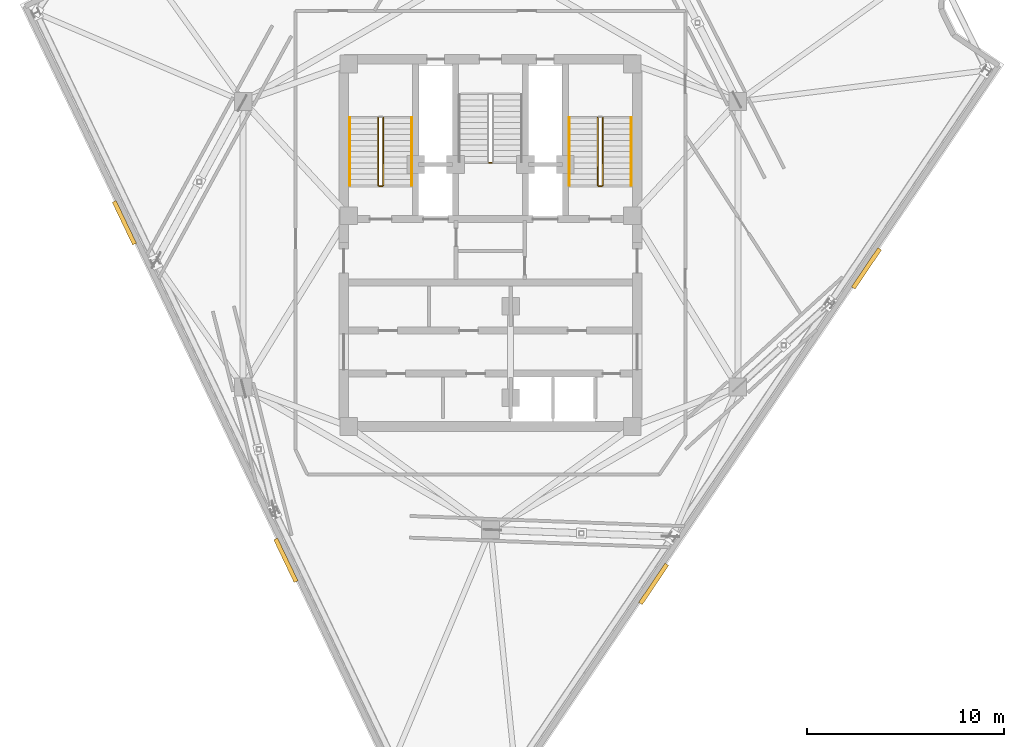
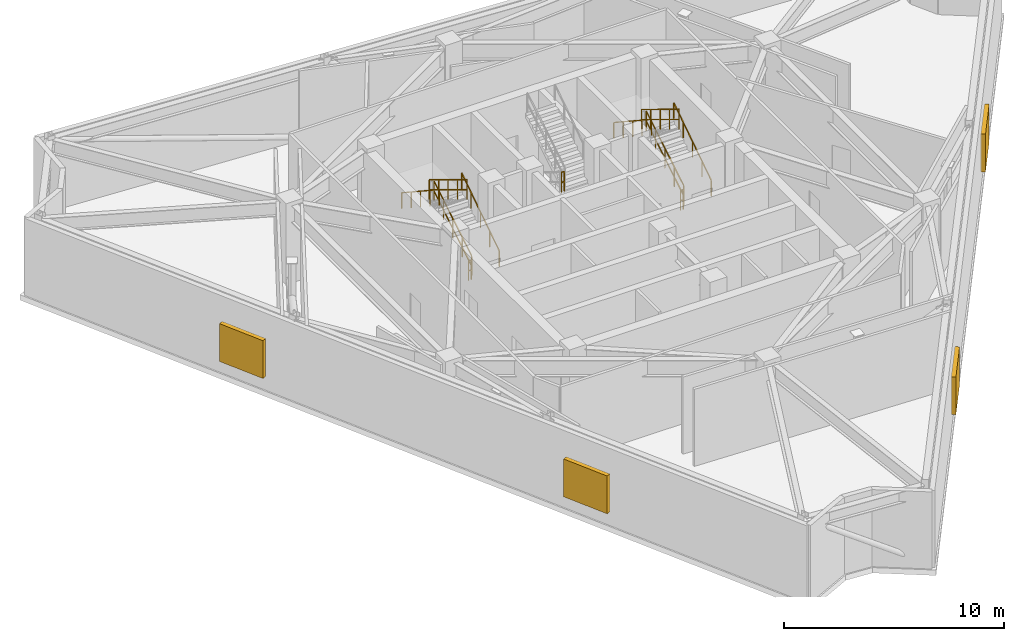
# One storey, part 10 of 11: 11 railings, 4 shading devices.
"""IFC4 building model written with IfcOpenShell, lengths in metres."""

from ifc_helpers import new_model, si_unit, direction, frame, origin, origin_2d, place, context, subcontext, project, spatial, rectangle, extrude, material, type_object, element, save


model = new_model("IFC4")

# Units and contexts
model_context = context("Model", 3, precision=1e-05, world=origin(), true_north=direction((0.0, 1.0)))
body_context = subcontext(model_context, "Body", "Model", "MODEL_VIEW")
ifc_project = project(units=[si_unit("LENGTHUNIT", "METRE"), si_unit("AREAUNIT", "SQUARE_METRE"), si_unit("VOLUMEUNIT", "CUBIC_METRE"), si_unit("PLANEANGLEUNIT", "RADIAN"), si_unit("MASSUNIT", "GRAM", prefix="KILO")], contexts=[model_context])

# Site, building, storey
site_placement = place(None, origin())
site = spatial("IfcSite", under=ifc_project, at=site_placement, CompositionType="ELEMENT")
building_placement = place(site_placement, origin())
building = spatial("IfcBuilding", under=site, at=building_placement, Name="Apsidion Concourse Tower", CompositionType="ELEMENT")
storey_placement = place(building_placement, frame((0.0, 0.0, 328.0)))
storey = spatial("IfcBuildingStorey", under=building, at=storey_placement, Name="L77", CompositionType="ELEMENT", Elevation=328.0)

# Railings
ifc_material_1 = material(Name="Brushed stainless steel 316", Category="steel")
railing_type_1 = type_object("IfcRailingType", Name="RL-GUARD-1100", PredefinedType="GUARDRAIL", material=ifc_material_1)
railing_1_placement = place(storey_placement, frame((-5.449951171875, 3.0, 0.173095703125)))
element("IfcRailing", 1, at=railing_1_placement, inside=storey, type_object=railing_type_1, Name="L77 ST1 stair guard 1", PredefinedType="GUARDRAIL", context=body_context, shape_type="SweptSolid", body=[
    extrude(rectangle(XDim=0.048095703125, YDim=0.048095703125, at=origin_2d()), frame((0.0, 0.0, 1.09619140625), z_axis=(0.0, 0.854729506542, 0.519073665916), x_axis=(-1.0, 0.0, 0.0)), (0.0, 0.0, 1.0), 4.001220703125),
    extrude(rectangle(XDim=0.048095703125, YDim=0.048095703125, at=origin_2d()), frame((0.0, 0.0, 0.5361328125), z_axis=(0.0, 0.854729506542, 0.519073665916), x_axis=(-1.0, 0.0, 0.0)), (0.0, 0.0, 1.0), 4.001220703125),
    extrude(rectangle(XDim=0.0419921875, YDim=0.0419921875, at=origin_2d()), origin(), (0.0, 0.0, 1.0), 1.072021484375),
    extrude(rectangle(XDim=0.0419921875, YDim=0.0419921875, at=origin_2d()), frame((0.0, 0.85498046875, 0.519287109375)), (0.0, 0.0, 1.0), 1.072021484375),
    extrude(rectangle(XDim=0.0419921875, YDim=0.0419921875, at=origin_2d()), frame((0.0, 1.7099609375, 1.03857421875)), (0.0, 0.0, 1.0), 1.072021484375),
    extrude(rectangle(XDim=0.0419921875, YDim=0.0419921875, at=origin_2d()), frame((0.0, 2.56494140625, 1.5576171875)), (0.0, 0.0, 1.0), 1.072021484375),
    extrude(rectangle(XDim=0.0419921875, YDim=0.0419921875, at=origin_2d()), frame((0.0, 3.419921875, 2.076904296875)), (0.0, 0.0, 1.0), 1.072021484375),
])
railing_2_placement = place(storey_placement, frame((-5.699951171875, 6.419921875, 2.423095703125)))
element("IfcRailing", 2, at=railing_2_placement, inside=storey, type_object=railing_type_1, Name="L77 ST1 stair guard 3", PredefinedType="GUARDRAIL", context=body_context, shape_type="SweptSolid", body=[
    extrude(rectangle(XDim=0.048095703125, YDim=0.048095703125, at=origin_2d()), frame((0.0, 0.0, 1.09619140625), z_axis=(0.0, -0.854729506542, 0.519073665916), x_axis=(1.0, 0.0, 0.0)), (0.0, 0.0, 1.0), 4.001220703125),
    extrude(rectangle(XDim=0.048095703125, YDim=0.048095703125, at=origin_2d()), frame((0.0, 0.0, 0.5361328125), z_axis=(0.0, -0.854729506542, 0.519073665916), x_axis=(1.0, 0.0, 0.0)), (0.0, 0.0, 1.0), 4.001220703125),
    extrude(rectangle(XDim=0.0419921875, YDim=0.0419921875, at=origin_2d()), origin(), (0.0, 0.0, 1.0), 1.072021484375),
    extrude(rectangle(XDim=0.0419921875, YDim=0.0419921875, at=origin_2d()), frame((0.0, -0.85498046875, 0.519287109375)), (0.0, 0.0, 1.0), 1.072021484375),
    extrude(rectangle(XDim=0.0419921875, YDim=0.0419921875, at=origin_2d()), frame((0.0, -1.7099609375, 1.03857421875)), (0.0, 0.0, 1.0), 1.072021484375),
    extrude(rectangle(XDim=0.0419921875, YDim=0.0419921875, at=origin_2d()), frame((0.0, -2.56494140625, 1.5576171875)), (0.0, 0.0, 1.0), 1.072021484375),
    extrude(rectangle(XDim=0.0419921875, YDim=0.0419921875, at=origin_2d()), frame((0.0, -3.419921875, 2.076904296875)), (0.0, 0.0, 1.0), 1.072021484375),
])
railing_3_placement = place(storey_placement, frame((-5.5, 2.949951171875, 0.0)))
element("IfcRailing", 3, at=railing_3_placement, inside=storey, type_object=railing_type_1, Name="L77 ST1 stair guard 4", PredefinedType="GUARDRAIL", context=body_context, shape_type="SweptSolid", body=[
    extrude(rectangle(XDim=0.048095703125, YDim=0.048095703125, at=origin_2d()), frame((0.0, 0.0, 1.09619140625), z_axis=(-1.0, 0.0, 0.0), x_axis=(0.0, -1.0, 0.0)), (0.0, 0.0, 1.0), 0.14990234375),
    extrude(rectangle(XDim=0.048095703125, YDim=0.048095703125, at=origin_2d()), frame((0.0, 0.0, 0.5361328125), z_axis=(-1.0, 0.0, 0.0), x_axis=(0.0, -1.0, 0.0)), (0.0, 0.0, 1.0), 0.14990234375),
    extrude(rectangle(XDim=0.0419921875, YDim=0.0419921875, at=origin_2d()), origin(), (0.0, 0.0, 1.0), 1.072021484375),
    extrude(rectangle(XDim=0.0419921875, YDim=0.0419921875, at=origin_2d()), frame((-0.14990234375, 0.0, 0.0)), (0.0, 0.0, 1.0), 1.072021484375),
])
railing_4_placement = place(storey_placement, frame((5.699951171875, 3.0, 0.173095703125)))
element("IfcRailing", 4, at=railing_4_placement, inside=storey, type_object=railing_type_1, Name="L77 ST2 stair guard 1", PredefinedType="GUARDRAIL", context=body_context, shape_type="SweptSolid", body=[
    extrude(rectangle(XDim=0.048095703125, YDim=0.048095703125, at=origin_2d()), frame((0.0, 0.0, 1.09619140625), z_axis=(0.0, 0.854729506542, 0.519073665916), x_axis=(-1.0, 0.0, 0.0)), (0.0, 0.0, 1.0), 4.001220703125),
    extrude(rectangle(XDim=0.048095703125, YDim=0.048095703125, at=origin_2d()), frame((0.0, 0.0, 0.5361328125), z_axis=(0.0, 0.854729506542, 0.519073665916), x_axis=(-1.0, 0.0, 0.0)), (0.0, 0.0, 1.0), 4.001220703125),
    extrude(rectangle(XDim=0.0419921875, YDim=0.0419921875, at=origin_2d()), origin(), (0.0, 0.0, 1.0), 1.072021484375),
    extrude(rectangle(XDim=0.0419921875, YDim=0.0419921875, at=origin_2d()), frame((0.0, 0.85498046875, 0.519287109375)), (0.0, 0.0, 1.0), 1.072021484375),
    extrude(rectangle(XDim=0.0419921875, YDim=0.0419921875, at=origin_2d()), frame((0.0, 1.7099609375, 1.03857421875)), (0.0, 0.0, 1.0), 1.072021484375),
    extrude(rectangle(XDim=0.0419921875, YDim=0.0419921875, at=origin_2d()), frame((0.0, 2.56494140625, 1.5576171875)), (0.0, 0.0, 1.0), 1.072021484375),
    extrude(rectangle(XDim=0.0419921875, YDim=0.0419921875, at=origin_2d()), frame((0.0, 3.419921875, 2.076904296875)), (0.0, 0.0, 1.0), 1.072021484375),
])
railing_5_placement = place(storey_placement, frame((5.449951171875, 6.419921875, 2.423095703125)))
element("IfcRailing", 5, at=railing_5_placement, inside=storey, type_object=railing_type_1, Name="L77 ST2 stair guard 3", PredefinedType="GUARDRAIL", context=body_context, shape_type="SweptSolid", body=[
    extrude(rectangle(XDim=0.048095703125, YDim=0.048095703125, at=origin_2d()), frame((0.0, 0.0, 1.09619140625), z_axis=(0.0, -0.854729506542, 0.519073665916), x_axis=(1.0, 0.0, 0.0)), (0.0, 0.0, 1.0), 4.001220703125),
    extrude(rectangle(XDim=0.048095703125, YDim=0.048095703125, at=origin_2d()), frame((0.0, 0.0, 0.5361328125), z_axis=(0.0, -0.854729506542, 0.519073665916), x_axis=(1.0, 0.0, 0.0)), (0.0, 0.0, 1.0), 4.001220703125),
    extrude(rectangle(XDim=0.0419921875, YDim=0.0419921875, at=origin_2d()), origin(), (0.0, 0.0, 1.0), 1.072021484375),
    extrude(rectangle(XDim=0.0419921875, YDim=0.0419921875, at=origin_2d()), frame((0.0, -0.85498046875, 0.519287109375)), (0.0, 0.0, 1.0), 1.072021484375),
    extrude(rectangle(XDim=0.0419921875, YDim=0.0419921875, at=origin_2d()), frame((0.0, -1.7099609375, 1.03857421875)), (0.0, 0.0, 1.0), 1.072021484375),
    extrude(rectangle(XDim=0.0419921875, YDim=0.0419921875, at=origin_2d()), frame((0.0, -2.56494140625, 1.5576171875)), (0.0, 0.0, 1.0), 1.072021484375),
    extrude(rectangle(XDim=0.0419921875, YDim=0.0419921875, at=origin_2d()), frame((0.0, -3.419921875, 2.076904296875)), (0.0, 0.0, 1.0), 1.072021484375),
])
railing_6_placement = place(storey_placement, frame((5.64990234375, 2.949951171875, 0.0)))
element("IfcRailing", 6, at=railing_6_placement, inside=storey, type_object=railing_type_1, Name="L77 ST2 stair guard 4", PredefinedType="GUARDRAIL", context=body_context, shape_type="SweptSolid", body=[
    extrude(rectangle(XDim=0.048095703125, YDim=0.048095703125, at=origin_2d()), frame((0.0, 0.0, 1.09619140625), z_axis=(-1.0, 0.0, 0.0), x_axis=(0.0, -1.0, 0.0)), (0.0, 0.0, 1.0), 0.14990234375),
    extrude(rectangle(XDim=0.048095703125, YDim=0.048095703125, at=origin_2d()), frame((0.0, 0.0, 0.5361328125), z_axis=(-1.0, 0.0, 0.0), x_axis=(0.0, -1.0, 0.0)), (0.0, 0.0, 1.0), 0.14990234375),
    extrude(rectangle(XDim=0.0419921875, YDim=0.0419921875, at=origin_2d()), origin(), (0.0, 0.0, 1.0), 1.072021484375),
    extrude(rectangle(XDim=0.0419921875, YDim=0.0419921875, at=origin_2d()), frame((-0.14990234375, 0.0, 0.0)), (0.0, 0.0, 1.0), 1.072021484375),
])
railing_7_placement = place(storey_placement, frame((-0.074951171875, 4.1298828125, 2.25)))
element("IfcRailing", 7, at=railing_7_placement, inside=storey, type_object=railing_type_1, Name="L77 ST3 stair guard 2", PredefinedType="GUARDRAIL", context=body_context, shape_type="SweptSolid", body=[
    extrude(rectangle(XDim=0.048095703125, YDim=0.048095703125, at=origin_2d()), frame((0.0, 0.0, 1.09619140625), z_axis=(1.0, 0.0, 0.0), x_axis=(0.0, 1.0, 0.0)), (0.0, 0.0, 1.0), 0.14990234375),
    extrude(rectangle(XDim=0.048095703125, YDim=0.048095703125, at=origin_2d()), frame((0.0, 0.0, 0.5361328125), z_axis=(1.0, 0.0, 0.0), x_axis=(0.0, 1.0, 0.0)), (0.0, 0.0, 1.0), 0.14990234375),
    extrude(rectangle(XDim=0.0419921875, YDim=0.0419921875, at=origin_2d()), origin(), (0.0, 0.0, 1.0), 1.072021484375),
    extrude(rectangle(XDim=0.0419921875, YDim=0.0419921875, at=origin_2d()), frame((0.14990234375, 0.0, 0.0)), (0.0, 0.0, 1.0), 1.072021484375),
])
railing_type_2 = type_object("IfcRailingType", Name="RL-HAND-900", PredefinedType="HANDRAIL", material=ifc_material_1)
railing_8_placement = place(storey_placement, frame((-4.0, 3.0, 0.173095703125)))
element("IfcRailing", 8, at=railing_8_placement, inside=storey, type_object=railing_type_2, Name="L77 ST1 stair handrail 1", PredefinedType="HANDRAIL", context=body_context, shape_type="SweptSolid", body=[
    extrude(rectangle(XDim=0.048095703125, YDim=0.048095703125, at=origin_2d()), frame((0.0, 0.0, 0.8759765625), z_axis=(0.0, 0.835411317272, 0.549625264133), x_axis=(-1.0, 0.0, 0.0)), (0.0, 0.0, 1.0), 4.09375),
    extrude(rectangle(XDim=0.0419921875, YDim=0.0419921875, at=origin_2d()), origin(), (0.0, 0.0, 1.0), 0.851806640625),
    extrude(rectangle(XDim=0.0419921875, YDim=0.0419921875, at=origin_2d()), frame((0.0, 0.85498046875, 0.5625)), (0.0, 0.0, 1.0), 0.851806640625),
    extrude(rectangle(XDim=0.0419921875, YDim=0.0419921875, at=origin_2d()), frame((0.0, 1.7099609375, 1.125)), (0.0, 0.0, 1.0), 0.851806640625),
    extrude(rectangle(XDim=0.0419921875, YDim=0.0419921875, at=origin_2d()), frame((0.0, 2.56494140625, 1.6875)), (0.0, 0.0, 1.0), 0.851806640625),
    extrude(rectangle(XDim=0.0419921875, YDim=0.0419921875, at=origin_2d()), frame((0.0, 3.419921875, 2.25)), (0.0, 0.0, 1.0), 0.851806640625),
])
railing_9_placement = place(storey_placement, frame((-7.14990234375, 6.419921875, 2.423095703125)))
element("IfcRailing", 9, at=railing_9_placement, inside=storey, type_object=railing_type_2, Name="L77 ST1 stair handrail 2", PredefinedType="HANDRAIL", context=body_context, shape_type="SweptSolid", body=[
    extrude(rectangle(XDim=0.048095703125, YDim=0.048095703125, at=origin_2d()), frame((0.0, 0.0, 0.8759765625), z_axis=(0.0, -0.835411317272, 0.549625264133), x_axis=(1.0, 0.0, 0.0)), (0.0, 0.0, 1.0), 4.09375),
    extrude(rectangle(XDim=0.0419921875, YDim=0.0419921875, at=origin_2d()), origin(), (0.0, 0.0, 1.0), 0.851806640625),
    extrude(rectangle(XDim=0.0419921875, YDim=0.0419921875, at=origin_2d()), frame((0.0, -0.85498046875, 0.5625)), (0.0, 0.0, 1.0), 0.851806640625),
    extrude(rectangle(XDim=0.0419921875, YDim=0.0419921875, at=origin_2d()), frame((0.0, -1.7099609375, 1.125)), (0.0, 0.0, 1.0), 0.851806640625),
    extrude(rectangle(XDim=0.0419921875, YDim=0.0419921875, at=origin_2d()), frame((0.0, -2.56494140625, 1.6875)), (0.0, 0.0, 1.0), 0.851806640625),
    extrude(rectangle(XDim=0.0419921875, YDim=0.0419921875, at=origin_2d()), frame((0.0, -3.419921875, 2.25)), (0.0, 0.0, 1.0), 0.851806640625),
])
railing_10_placement = place(storey_placement, frame((7.14990234375, 3.0, 0.173095703125)))
element("IfcRailing", 10, at=railing_10_placement, inside=storey, type_object=railing_type_2, Name="L77 ST2 stair handrail 1", PredefinedType="HANDRAIL", context=body_context, shape_type="SweptSolid", body=[
    extrude(rectangle(XDim=0.048095703125, YDim=0.048095703125, at=origin_2d()), frame((0.0, 0.0, 0.8759765625), z_axis=(0.0, 0.835411317272, 0.549625264133), x_axis=(-1.0, 0.0, 0.0)), (0.0, 0.0, 1.0), 4.09375),
    extrude(rectangle(XDim=0.0419921875, YDim=0.0419921875, at=origin_2d()), origin(), (0.0, 0.0, 1.0), 0.851806640625),
    extrude(rectangle(XDim=0.0419921875, YDim=0.0419921875, at=origin_2d()), frame((0.0, 0.85498046875, 0.5625)), (0.0, 0.0, 1.0), 0.851806640625),
    extrude(rectangle(XDim=0.0419921875, YDim=0.0419921875, at=origin_2d()), frame((0.0, 1.7099609375, 1.125)), (0.0, 0.0, 1.0), 0.851806640625),
    extrude(rectangle(XDim=0.0419921875, YDim=0.0419921875, at=origin_2d()), frame((0.0, 2.56494140625, 1.6875)), (0.0, 0.0, 1.0), 0.851806640625),
    extrude(rectangle(XDim=0.0419921875, YDim=0.0419921875, at=origin_2d()), frame((0.0, 3.419921875, 2.25)), (0.0, 0.0, 1.0), 0.851806640625),
])
railing_11_placement = place(storey_placement, frame((4.0, 6.419921875, 2.423095703125)))
element("IfcRailing", 11, at=railing_11_placement, inside=storey, type_object=railing_type_2, Name="L77 ST2 stair handrail 2", PredefinedType="HANDRAIL", context=body_context, shape_type="SweptSolid", body=[
    extrude(rectangle(XDim=0.048095703125, YDim=0.048095703125, at=origin_2d()), frame((0.0, 0.0, 0.8759765625), z_axis=(0.0, -0.835411317272, 0.549625264133), x_axis=(1.0, 0.0, 0.0)), (0.0, 0.0, 1.0), 4.09375),
    extrude(rectangle(XDim=0.0419921875, YDim=0.0419921875, at=origin_2d()), origin(), (0.0, 0.0, 1.0), 0.851806640625),
    extrude(rectangle(XDim=0.0419921875, YDim=0.0419921875, at=origin_2d()), frame((0.0, -0.85498046875, 0.5625)), (0.0, 0.0, 1.0), 0.851806640625),
    extrude(rectangle(XDim=0.0419921875, YDim=0.0419921875, at=origin_2d()), frame((0.0, -1.7099609375, 1.125)), (0.0, 0.0, 1.0), 0.851806640625),
    extrude(rectangle(XDim=0.0419921875, YDim=0.0419921875, at=origin_2d()), frame((0.0, -2.56494140625, 1.6875)), (0.0, 0.0, 1.0), 0.851806640625),
    extrude(rectangle(XDim=0.0419921875, YDim=0.0419921875, at=origin_2d()), frame((0.0, -3.419921875, 2.25)), (0.0, 0.0, 1.0), 0.851806640625),
])

# Shading devices
ifc_material_2 = material(Name="Anodised aluminium EN AW-6063 T6", Category="aluminium")
shading_device_type = type_object("IfcShadingDeviceType", Name="SH-LOUVRE-AL", PredefinedType="JALOUSIE", material=ifc_material_2)
for number, where, z_axis, x_axis, name in (
    (12, (19.093994140625, -1.2255859375, 0.75), (0.0, 0.0, 1.0), (-0.559192903471, -0.829037572555, 0.0), "L77 Plant Acoustic Louvre Bank 5-1"),
    (13, (8.2890625, -17.24462890625, 0.75), (0.0, 0.0, 1.0), (-0.559192903471, -0.829037572555, 0.0), "L77 Plant Acoustic Louvre Bank 5-2"),
    (14, (-10.391357421875, -16.046630859375, 0.75), (0.0, 0.0, 1.0), (-0.431613491188, 0.902058642343, 0.0), "L77 Plant Acoustic Louvre Bank 9-1"),
    (15, (-18.59130859375, 1.092041015625, 0.75), (0.0, 0.0, 1.0), (-0.431613491188, 0.902058642343, 0.0), "L77 Plant Acoustic Louvre Bank 9-2"),
):
    element("IfcShadingDevice", number, at=place(storey_placement, frame(where, z_axis=z_axis, x_axis=x_axis)), inside=storey, type_object=shading_device_type, Name=name, PredefinedType="JALOUSIE", context=body_context, shape_type="SweptSolid", body=[
        extrude(rectangle(XDim=2.39990234375, YDim=0.219970703125, at=origin_2d()), origin(), (0.0, 0.0, 1.0), 2.10009765625),
    ])

save(model, "model.ifc")
